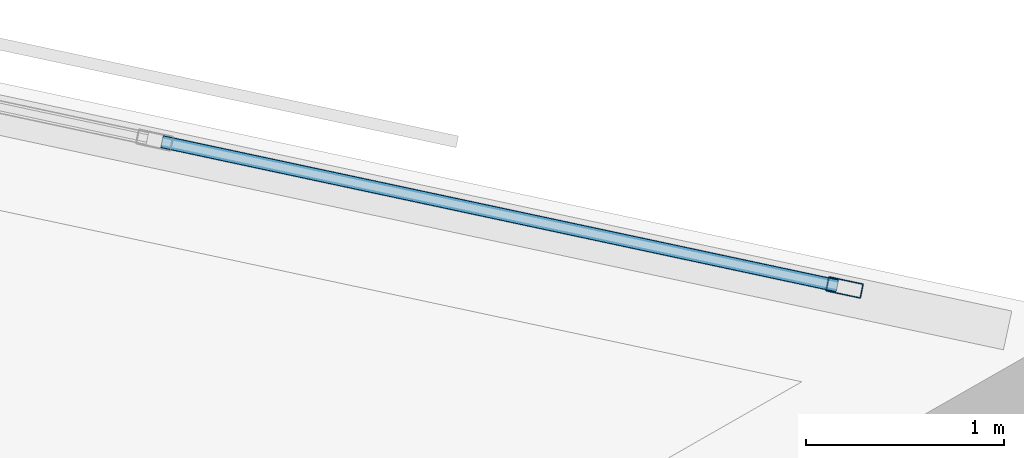
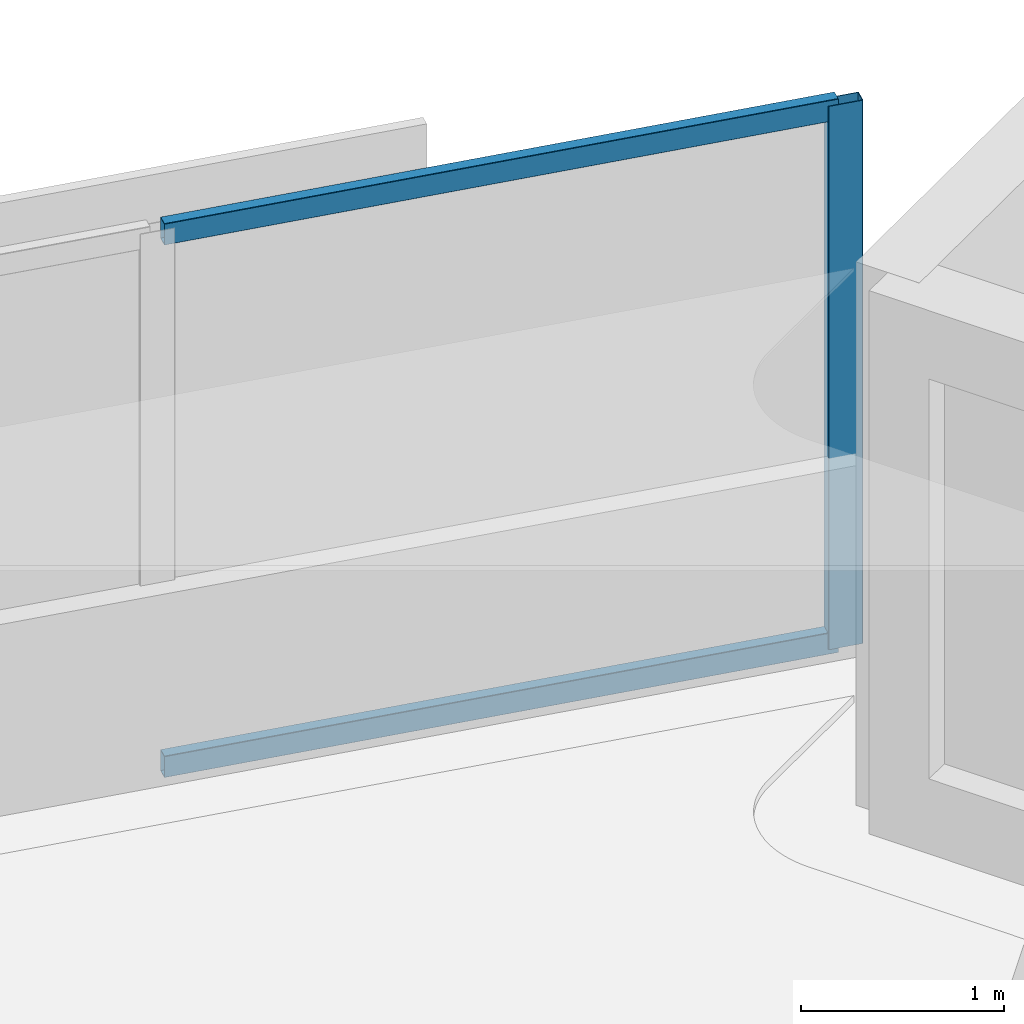
# One storey, part 6 of 14: 3 members, 1 element without a shape of its own.
"""IFC4 building model written with IfcOpenShell, lengths in metres."""

from ifc_helpers import new_model, si_unit, direction, frame, origin, origin_2d, place, context, subcontext, project, spatial, hollow_rectangle, extrude, material, material_profile, profile_set, type_object, element, aggregate, save


model = new_model("IFC4")

# Units and contexts
model_context = context("Model", 3, precision=1e-05, world=origin(), true_north=direction((0.0, 1.0)))
body_context = subcontext(model_context, "Body", "Model", "MODEL_VIEW")
ifc_project = project(units=[si_unit("LENGTHUNIT", "METRE"), si_unit("AREAUNIT", "SQUARE_METRE"), si_unit("VOLUMEUNIT", "CUBIC_METRE"), si_unit("PLANEANGLEUNIT", "RADIAN"), si_unit("MASSUNIT", "GRAM", prefix="KILO")], contexts=[model_context])

# Site, building, storey
site_placement = place(None, origin())
site = spatial("IfcSite", under=ifc_project, at=site_placement, CompositionType="ELEMENT")
building_placement = place(site_placement, origin())
building = spatial("IfcBuilding", under=site, at=building_placement, Name="Narakoshi Arena Tower", CompositionType="ELEMENT")
storey_placement = place(building_placement, frame((0.0, 0.0, 207.93994140625)))
storey = spatial("IfcBuildingStorey", under=building, at=storey_placement, Name="L56", CompositionType="ELEMENT", Elevation=207.93994140625)

# Curtain wall, members
ifc_material = material(Name="Anodised bronze aluminium 6063-T6", Category="aluminium")
curtain_wall_type = type_object("IfcCurtainWallType", Name="CW-HYP-MID", PredefinedType="NOTDEFINED", material=ifc_material)
curtain_wall_placement = place(storey_placement, origin())
curtain_wall = element("IfcCurtainWall", 1, at=curtain_wall_placement, inside=storey, type_object=curtain_wall_type, Name="L56 Folded Hypotenuse Curtain Wall 1-1", PredefinedType="NOTDEFINED")
ifc_material_profile_1 = material_profile(ifc_material, hollow_rectangle(XDim=0.074951171875, YDim=0.179931640625, WallThickness=0.00390625, OuterFilletRadius=0.0048828125, at=origin_2d()), Name="MUL180x75x4")
ifc_profile_set_1 = profile_set([ifc_material_profile_1], Name="Anodised bronze aluminium 6063-T6")
member_type_1 = type_object("IfcMemberType", Name="MEM-MUL-180", PredefinedType="MULLION", material=ifc_profile_set_1)
member_1_placement = place(storey_placement, frame((115.57373046875, 56.938232421875, 0.0), z_axis=(0.0, 0.0, 1.0), x_axis=(-0.208899163248, -0.977937185914, 0.0)))
member_1 = element("IfcMember", 2, at=member_1_placement, type_object=member_type_1, Name="CW-02 mullion 1", PredefinedType="MULLION", context=body_context, shape_type="SweptSolid", body=[
    extrude(hollow_rectangle(XDim=0.074951171875, YDim=0.179931640625, WallThickness=0.00390625, OuterFilletRadius=0.0048828125, at=origin_2d()), origin(), (0.0, 0.0, 1.0), 3.260009765625),
])
ifc_material_profile_2 = material_profile(ifc_material, hollow_rectangle(XDim=0.06494140625, YDim=0.1298828125, WallThickness=0.00390625, OuterFilletRadius=0.0048828125, at=origin_2d()), Name="TRN130x65x4")
ifc_profile_set_2 = profile_set([ifc_material_profile_2], Name="Anodised bronze aluminium 6063-T6")
member_type_2 = type_object("IfcMemberType", Name="MEM-TRN-130", PredefinedType="USERDEFINED", material=ifc_profile_set_2)
member_2_placement = place(storey_placement, frame((115.537109375, 56.946044921875, 0.032470703125), z_axis=(-0.977942813259, 0.20887281775, 0.0), x_axis=(-0.20887281775, -0.977942813259, 0.0)))
member_2 = element("IfcMember", 3, at=member_2_placement, type_object=member_type_2, Name="CW-02 transom 1.1", ObjectType="TRANSOM", PredefinedType="USERDEFINED", context=body_context, shape_type="SweptSolid", body=[
    extrude(hollow_rectangle(XDim=0.06494140625, YDim=0.1298828125, WallThickness=0.00390625, OuterFilletRadius=0.0048828125, at=origin_2d()), origin(), (0.0, 0.0, 1.0), 3.480712890625),
])
member_3_placement = place(storey_placement, frame((115.537109375, 56.946044921875, 3.2275390625), z_axis=(-0.977942813259, 0.20887281775, 0.0), x_axis=(-0.20887281775, -0.977942813259, 0.0)))
member_3 = element("IfcMember", 4, at=member_3_placement, type_object=member_type_2, Name="CW-02 transom 1.2", ObjectType="TRANSOM", PredefinedType="USERDEFINED", context=body_context, shape_type="SweptSolid", body=[
    extrude(hollow_rectangle(XDim=0.06494140625, YDim=0.1298828125, WallThickness=0.00390625, OuterFilletRadius=0.0048828125, at=origin_2d()), origin(), (0.0, 0.0, 1.0), 3.480712890625),
])
aggregate(curtain_wall, [member_1, member_2, member_3])

save(model, "model.ifc")
